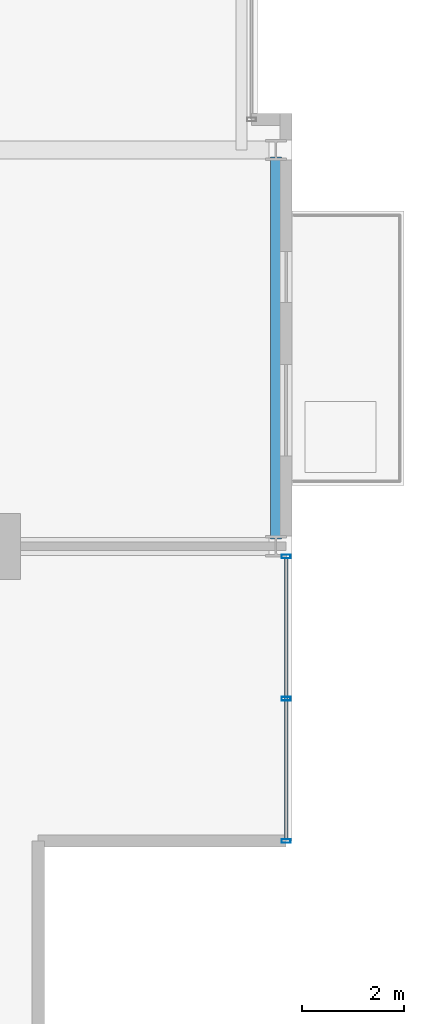
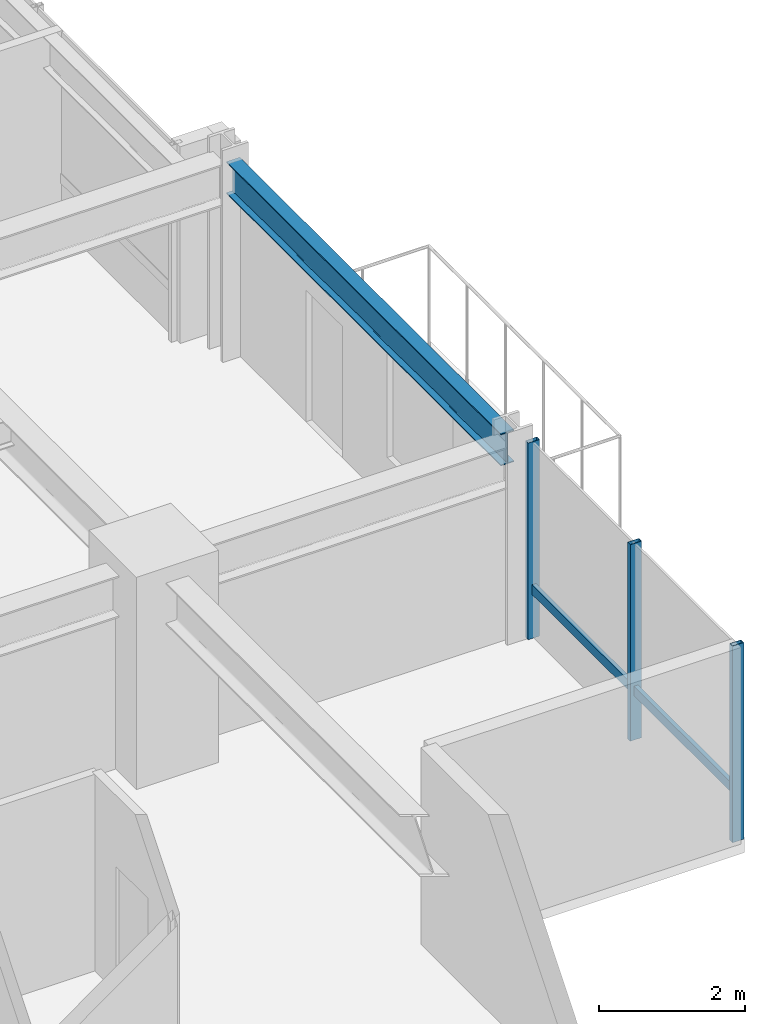
# One storey, part 13 of 32: 4 members, 1 beam, 1 element without a shape of its own.
"""IFC4 building model written with IfcOpenShell, lengths in metres."""

import ifcopenshell
import ifcopenshell.guid

model = None  # the IFC model being written
_history = None  # IfcOwnerHistory: only IFC2X3 demands one
_inside = {}  # id of a spatial element -> (the spatial element, [elements in it])
_under = {}  # id of a project, library or spatial element -> (it, [spatial elements below it])
_declared = {}  # id of a project -> (the project, [libraries it declares])
_typed = {}  # id of a type object -> (the type object, [elements of that type])
_made_of = {}  # id of a material, layer set ... -> (it, [elements and type objects made of it])


def new_model(schema):
    """Start an empty IFC model of exactly this schema.

    Asked for "IFC4X3", IfcOpenShell would pick the latest addendum, in which some entities
    have other attributes; the version numbers below select the first issue.
    IFC2X3 requires an IfcOwnerHistory on every rooted entity: one is made here for all.
    """
    global model, _history
    if schema == "IFC4X3":
        model = ifcopenshell.file(schema_version=(4, 3, 0, 0))
    else:
        model = ifcopenshell.file(schema=schema)
    _inside.clear()
    _under.clear()
    _declared.clear()
    _typed.clear()
    _made_of.clear()
    _history = None
    if model.schema == "IFC2X3":
        org = make("IfcOrganization", Name="unknown")
        user = make(
            "IfcPersonAndOrganization",
            ThePerson=make("IfcPerson", FamilyName="unknown"),
            TheOrganization=org,
        )
        app = make(
            "IfcApplication",
            ApplicationDeveloper=org,
            Version="unknown",
            ApplicationFullName="unknown",
            ApplicationIdentifier="unknown",
        )
        _history = make(
            "IfcOwnerHistory",
            OwningUser=user,
            OwningApplication=app,
            ChangeAction="ADDED",
            CreationDate=0,
        )
    return model


def make(cls, **values):
    """One entity of the class cls with the attributes given. An attribute that is None is left unset."""
    return model.create_entity(
        cls, **{name: value for name, value in values.items() if value is not None}
    )


def rooted(cls, **values):
    """An entity with a GlobalId (a new one), such as an element, a storey or a relation."""
    return make(cls, GlobalId=ifcopenshell.guid.new(), OwnerHistory=_history, **values)


def si_unit(unit_type, name, prefix=None):
    """IfcSIUnit, for example si_unit("LENGTHUNIT", "METRE", prefix="MILLI")."""
    return make("IfcSIUnit", UnitType=unit_type, Prefix=prefix, Name=name)


def assignment(units):
    """IfcUnitAssignment: the units of a project."""
    return None if units is None else make("IfcUnitAssignment", Units=units)


def point(xyz):
    """IfcCartesianPoint."""
    return None if xyz is None else make("IfcCartesianPoint", Coordinates=xyz)


def direction(xyz):
    """IfcDirection."""
    return None if xyz is None else make("IfcDirection", DirectionRatios=xyz)


def frame(location, z_axis=None, x_axis=None):
    """IfcAxis2Placement3D, a coordinate frame: its origin and axes. An axis left out is left unset."""
    return make(
        "IfcAxis2Placement3D",
        Location=point(location),
        Axis=direction(z_axis),
        RefDirection=direction(x_axis),
    )


def frame_2d(location, x_axis=None):
    """IfcAxis2Placement2D, a coordinate frame in the plane: its origin and x axis."""
    return make(
        "IfcAxis2Placement2D", Location=point(location), RefDirection=direction(x_axis)
    )


def origin():
    """The frame at (0, 0, 0) with its axes left unset."""
    return frame((0.0, 0.0, 0.0))


def origin_2d():
    """The frame at (0, 0) in the plane with its x axis left unset."""
    return frame_2d((0.0, 0.0))


def place(relative_to, where):
    """IfcLocalPlacement: puts the frame where relative to a parent placement (None: the world)."""
    return make(
        "IfcLocalPlacement", PlacementRelTo=relative_to, RelativePlacement=where
    )


def context(
    kind, dimensions, precision=None, world=None, true_north=None, identifier=None
):
    """IfcGeometricRepresentationContext, for example the 3D "Model" context."""
    return make(
        "IfcGeometricRepresentationContext",
        ContextIdentifier=identifier,
        ContextType=kind,
        CoordinateSpaceDimension=dimensions,
        Precision=precision,
        WorldCoordinateSystem=world,
        TrueNorth=true_north,
    )


def subcontext(parent, identifier, kind, view, scale=None):
    """IfcGeometricRepresentationSubContext, for example "Body" below "Model"."""
    return make(
        "IfcGeometricRepresentationSubContext",
        ContextIdentifier=identifier,
        ContextType=kind,
        ParentContext=parent,
        TargetScale=scale,
        TargetView=view,
    )


def project(units=None, contexts=None):
    """IfcProject with its units and contexts."""
    return rooted(
        "IfcProject",
        Name="project",
        RepresentationContexts=contexts,
        UnitsInContext=assignment(units),
    )


def spatial(cls, under=None, at=None, **own):
    """A site, building, storey or space (cls), placed at a placement, below another one or the project."""
    s = rooted(cls, ObjectPlacement=at, **own)
    if under is not None:
        _under.setdefault(under.id(), (under, []))[1].append(s)
    return s


def profile(cls, at=None, kind="AREA", **sizes):
    """A parametric profile (cls). Its sizes go by their IFC names, for example OverallWidth=200.0."""
    return make(cls, ProfileType=kind, Position=at, **sizes)


def hollow_rectangle(**sizes):
    """IfcRectangleHollowProfileDef."""
    return profile("IfcRectangleHollowProfileDef", **sizes)


def i_section(**sizes):
    """IfcIShapeProfileDef."""
    return profile("IfcIShapeProfileDef", **sizes)


def extrude(swept, where, along, depth):
    """IfcExtrudedAreaSolid: the profile swept, set in the frame where, extruded along a direction by depth."""
    return make(
        "IfcExtrudedAreaSolid",
        SweptArea=swept,
        Position=where,
        ExtrudedDirection=direction(along),
        Depth=depth,
    )


def shape(context_of_items, identifier, shape_type, items):
    """IfcShapeRepresentation: the items that make up one representation, for example the "Body"."""
    return make(
        "IfcShapeRepresentation",
        ContextOfItems=context_of_items,
        RepresentationIdentifier=identifier,
        RepresentationType=shape_type,
        Items=items,
    )


def material(Name=None, Category=None):
    """IfcMaterial."""
    return make("IfcMaterial", Name=Name, Category=Category)


def layer(
    of_material, thickness, ventilated=None, Name=None, Category=None, Priority=None
):
    """IfcMaterialLayer: one layer of a wall or slab, of a material (None: an air gap)."""
    return make(
        "IfcMaterialLayer",
        Material=of_material,
        LayerThickness=thickness,
        IsVentilated=ventilated,
        Name=Name,
        Category=Category,
        Priority=Priority,
    )


def layer_set(layers, Name=None):
    """IfcMaterialLayerSet."""
    return make("IfcMaterialLayerSet", MaterialLayers=layers, LayerSetName=Name)


def material_profile(
    of_material, cross_section, Name=None, Category=None, Priority=None
):
    """IfcMaterialProfile: a cross section and its material."""
    return make(
        "IfcMaterialProfile",
        Name=Name,
        Material=of_material,
        Profile=cross_section,
        Priority=Priority,
        Category=Category,
    )


def profile_set(profiles, Name=None, composite=None):
    """IfcMaterialProfileSet."""
    return make(
        "IfcMaterialProfileSet",
        Name=Name,
        MaterialProfiles=profiles,
        CompositeProfile=composite,
    )


def made_of(thing, what):
    """Note that an element or type object is made of a material, layer set ...; save() writes the relation."""
    if what is not None:
        _made_of.setdefault(what.id(), (what, []))[1].append(thing)
    return thing


def type_object(cls, material=None, **own):
    """A type object (cls), such as IfcWallType, which elements share."""
    return made_of(rooted(cls, **own), material)


def element(
    cls,
    number,
    at=None,
    inside=None,
    cuts=None,
    type_object=None,
    material=None,
    context=None,
    identifier="Body",
    shape_type=None,
    held_by="IfcProductDefinitionShape",
    body=None,
    shapes=None,
    **own,
):
    """One element of the class cls, such as IfcWall. Its Tag is "e" and its number.

    at: its placement. inside: the storey or other place that contains it. cuts: it is an
    opening in that element (IfcRelVoidsElement). A single representation is given by context,
    identifier, shape_type and body (its items); several are given by shapes. held_by: the class
    of the entity that holds the representations. save() writes the other relations.
    """
    e = rooted(cls, Tag="e%d" % number, ObjectPlacement=at, **own)
    if body is not None:
        shapes = [shape(context, identifier, shape_type, body)]
    if shapes is not None:
        e.Representation = make(held_by, Representations=shapes)
    if inside is not None:
        _inside.setdefault(inside.id(), (inside, []))[1].append(e)
    if cuts is not None:
        rooted(
            "IfcRelVoidsElement", RelatingBuildingElement=cuts, RelatedOpeningElement=e
        )
    if type_object is not None:
        _typed.setdefault(type_object.id(), (type_object, []))[1].append(e)
    return made_of(e, material)


def aggregate(whole, parts):
    """IfcRelAggregates: a whole, such as a stair, and the parts it consists of."""
    return rooted("IfcRelAggregates", RelatingObject=whole, RelatedObjects=parts)


def save(model, path):
    """Write the relations noted so far, then the file.

    IfcRelAggregates (storeys below a building ...), IfcRelContainedInSpatialStructure (elements
    in a storey), IfcRelDefinesByType, IfcRelAssociatesMaterial and IfcRelDeclares: one each for
    every whole, place, type object, material and project.
    """
    for whole, parts in _under.values():
        aggregate(whole, parts)
    for where, things in _inside.values():
        rooted(
            "IfcRelContainedInSpatialStructure",
            RelatedElements=things,
            RelatingStructure=where,
        )
    for kind, things in _typed.values():
        rooted("IfcRelDefinesByType", RelatedObjects=things, RelatingType=kind)
    for what, things in _made_of.values():
        rooted("IfcRelAssociatesMaterial", RelatedObjects=things, RelatingMaterial=what)
    for by, libraries in _declared.values():
        rooted("IfcRelDeclares", RelatingContext=by, RelatedDefinitions=libraries)
    model.write(path)


model = new_model("IFC4")

# Units and contexts
model_context = context("Model", 3, precision=1e-05, world=origin(), true_north=direction((0.0, 1.0)))
body_context = subcontext(model_context, "Body", "Model", "MODEL_VIEW")
ifc_project = project(units=[si_unit("LENGTHUNIT", "METRE"), si_unit("AREAUNIT", "SQUARE_METRE"), si_unit("VOLUMEUNIT", "CUBIC_METRE"), si_unit("PLANEANGLEUNIT", "RADIAN"), si_unit("MASSUNIT", "GRAM", prefix="KILO")], contexts=[model_context])

# Site, building, storey
site_placement = place(None, origin())
site = spatial("IfcSite", under=ifc_project, at=site_placement, CompositionType="ELEMENT")
building_placement = place(site_placement, origin())
building = spatial("IfcBuilding", under=site, at=building_placement, Name="Drelvath Grand Hotel", CompositionType="ELEMENT")
storey_placement = place(building_placement, frame((0.0, 0.0, 164.60009765625)))
storey = spatial("IfcBuildingStorey", under=building, at=storey_placement, Name="L42", CompositionType="ELEMENT", Elevation=164.60009765625)

# Curtain wall, members
ifc_material_1 = material(Name="Brushed Pale-Silver Anodised Aluminium Frame", Category="aluminium")
ifc_layer = layer(ifc_material_1, 0.199951171875)
ifc_layer_set = layer_set([ifc_layer], Name="Brushed Pale-Silver Anodised Aluminium Frame")
curtain_wall_type = type_object("IfcCurtainWallType", Name="Stick Curtain Wall CW-04 Brushed Silver Upper-Mid", PredefinedType="NOTDEFINED", material=ifc_layer_set)
curtain_wall_placement = place(storey_placement, origin())
curtain_wall = element("IfcCurtainWall", 1, at=curtain_wall_placement, inside=storey, type_object=curtain_wall_type, Name="L42 CW-04 Curtain Wall CW04-L42-ES1", PredefinedType="NOTDEFINED")
ifc_material_profile_1 = material_profile(ifc_material_1, hollow_rectangle(XDim=0.06494140625, YDim=0.159912109375, WallThickness=0.00390625, at=origin_2d()), Name="HSS160X65X4")
ifc_profile_set_1 = profile_set([ifc_material_profile_1], Name="Brushed Pale-Silver Anodised Aluminium Frame")
member_type_1 = type_object("IfcMemberType", Name="Curtain Wall Horizontal Transom CW-04 HSS160X65X4", PredefinedType="USERDEFINED", material=ifc_profile_set_1)
member_1_placement = place(storey_placement, frame((22.080078125, 10.559814453125, 0.822509765625), z_axis=(0.0, -1.0, 0.0), x_axis=(1.0, 0.0, 0.0)))
member_1 = element("IfcMember", 2, at=member_1_placement, type_object=member_type_1, Name="CW04-L42-ES1 Sill Transom", ObjectType="TRANSOM", PredefinedType="USERDEFINED", context=body_context, shape_type="SweptSolid", body=[
    extrude(hollow_rectangle(XDim=0.06494140625, YDim=0.159912109375, WallThickness=0.00390625, at=origin_2d()), origin(), (0.0, 0.0, 1.0), 5.519775390625),
])
ifc_material_profile_2 = material_profile(ifc_material_1, hollow_rectangle(XDim=0.074951171875, YDim=0.179931640625, WallThickness=0.0048828125, at=origin_2d()), Name="HSS180X75X5")
ifc_profile_set_2 = profile_set([ifc_material_profile_2], Name="Brushed Pale-Silver Anodised Aluminium Frame")
member_type_2 = type_object("IfcMemberType", Name="Curtain Wall Vertical Mullion CW-04 HSS180X75X5", PredefinedType="MULLION", material=ifc_profile_set_2)
member_2_placement = place(storey_placement, frame((22.080078125, 10.599853515625, 0.0), z_axis=(0.0, 0.0, 1.0), x_axis=(0.0, 1.0, 0.0)))
member_2 = element("IfcMember", 3, at=member_2_placement, type_object=member_type_2, Name="CW04-L42-ES1 Mullion 1", PredefinedType="MULLION", context=body_context, shape_type="SweptSolid", body=[
    extrude(hollow_rectangle(XDim=0.074951171875, YDim=0.179931640625, WallThickness=0.0048828125, at=origin_2d()), origin(), (0.0, 0.0, 1.0), 3.289794921875),
])
member_3_placement = place(storey_placement, frame((22.080078125, 7.7998046875, 0.0), z_axis=(0.0, 0.0, 1.0), x_axis=(0.0, 1.0, 0.0)))
member_3 = element("IfcMember", 4, at=member_3_placement, type_object=member_type_2, Name="CW04-L42-ES1 Mullion 2", PredefinedType="MULLION", context=body_context, shape_type="SweptSolid", body=[
    extrude(hollow_rectangle(XDim=0.074951171875, YDim=0.179931640625, WallThickness=0.0048828125, at=origin_2d()), origin(), (0.0, 0.0, 1.0), 3.289794921875),
])
member_4_placement = place(storey_placement, frame((22.080078125, 5.0, 0.0), z_axis=(0.0, 0.0, 1.0), x_axis=(0.0, 1.0, 0.0)))
member_4 = element("IfcMember", 5, at=member_4_placement, type_object=member_type_2, Name="CW04-L42-ES1 Mullion 3", PredefinedType="MULLION", context=body_context, shape_type="SweptSolid", body=[
    extrude(hollow_rectangle(XDim=0.074951171875, YDim=0.179931640625, WallThickness=0.0048828125, at=origin_2d()), origin(), (0.0, 0.0, 1.0), 3.289794921875),
])
aggregate(curtain_wall, [member_2, member_3, member_4, member_1])

# Beam
ifc_material_2 = material(Name="Steel ASTM A992 Gr 50", Category="steel")
ifc_material_profile_3 = material_profile(ifc_material_2, i_section(OverallWidth=0.210205078125, OverallDepth=0.53662109375, WebThickness=0.010986328125, FlangeThickness=0.017333984375, FilletRadius=0.01806640625, at=origin_2d()), Name="W21X68")
ifc_profile_set_3 = profile_set([ifc_material_profile_3], Name="Steel ASTM A992 Gr 50")
beam_type = type_object("IfcBeamType", Name="Perimeter Spandrel Beam W21X68", PredefinedType="SPANDREL", material=ifc_profile_set_3)
beam_placement = place(storey_placement, frame((21.8798828125, 10.93994140625, 3.021484375), z_axis=(0.0, 1.0, 0.0), x_axis=(-1.0, 0.0, 0.0)))
element("IfcBeam", 6, at=beam_placement, inside=storey, type_object=beam_type, Name="L42 Spandrel East S", PredefinedType="SPANDREL", context=body_context, shape_type="SweptSolid", body=[
    extrude(i_section(OverallWidth=0.210205078125, OverallDepth=0.53662109375, WebThickness=0.010986328125, FlangeThickness=0.017333984375, FilletRadius=0.01806640625, at=origin_2d()), origin(), (0.0, 0.0, 1.0), 7.52001953125),
])

save(model, "model.ifc")
